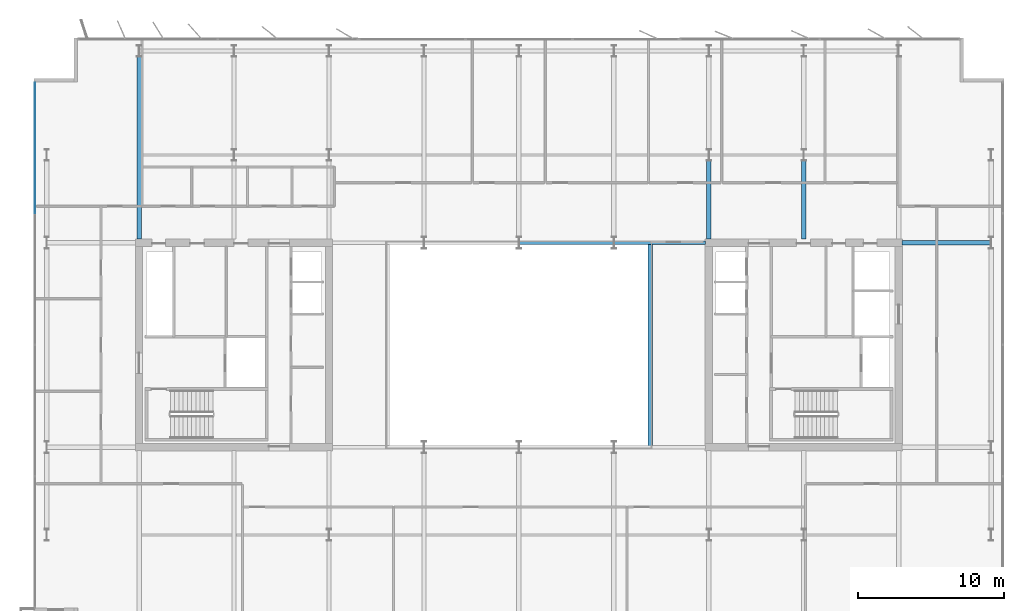
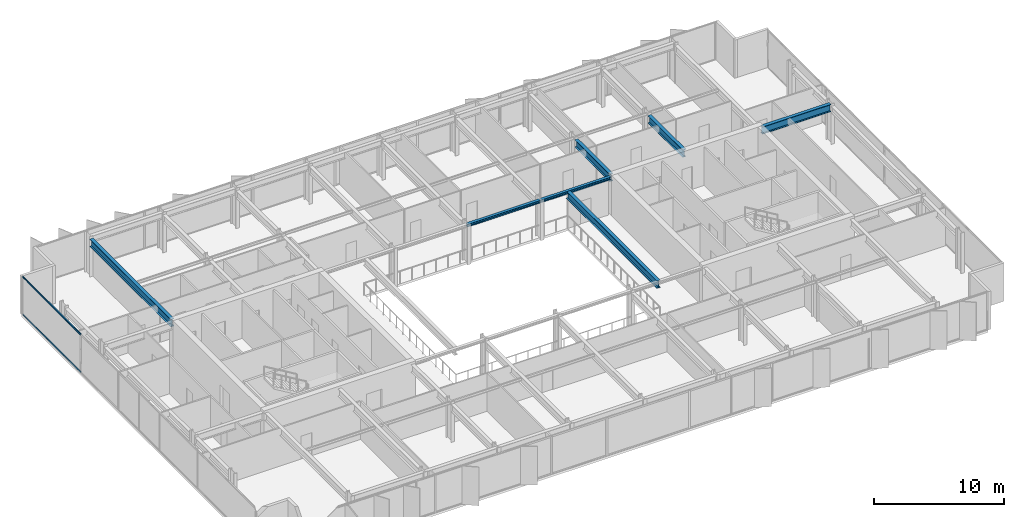
# One storey, part 9 of 23: 7 beams, 2 members, 1 element without a shape of its own.
"""IFC4 building model written with IfcOpenShell, lengths in metres."""

from ifc_helpers import new_model, si_unit, direction, frame, origin, origin_2d, place, context, subcontext, project, spatial, rectangle, i_section, extrude, material, layer, layer_set, material_profile, profile_set, type_object, element, aggregate, save


model = new_model("IFC4")

# Units and contexts
model_context = context("Model", 3, precision=1e-05, world=origin(), true_north=direction((0.0, 1.0)))
body_context = subcontext(model_context, "Body", "Model", "MODEL_VIEW")
ifc_project = project(units=[si_unit("LENGTHUNIT", "METRE"), si_unit("AREAUNIT", "SQUARE_METRE"), si_unit("VOLUMEUNIT", "CUBIC_METRE"), si_unit("PLANEANGLEUNIT", "RADIAN"), si_unit("MASSUNIT", "GRAM", prefix="KILO")], contexts=[model_context])

# Site, building, storey
site_placement = place(None, origin())
site = spatial("IfcSite", under=ifc_project, at=site_placement, CompositionType="ELEMENT")
building_placement = place(site_placement, origin())
building = spatial("IfcBuilding", under=site, at=building_placement, Name="Putna Gate Headquarters", CompositionType="ELEMENT")
storey_placement = place(building_placement, frame((0.0, 0.0, 232.800048828125)))
storey = spatial("IfcBuildingStorey", under=building, at=storey_placement, Name="L58", CompositionType="ELEMENT", Elevation=232.800048828125)

# Beams
ifc_material_1 = material(Name="Steel S355J2", Category="steel")
ifc_material_profile_1 = material_profile(ifc_material_1, i_section(OverallWidth=0.260009765625, OverallDepth=0.260009765625, WebThickness=0.010009765625, FlangeThickness=0.017578125, at=origin_2d()), Name="Steel S355J2")
ifc_profile_set_1 = profile_set([ifc_material_profile_1], Name="Steel S355J2")
beam_type_1 = type_object("IfcBeamType", Name="BM-ATRIUM-HEB260", PredefinedType="BEAM", material=ifc_profile_set_1)
beam_1_placement = place(storey_placement, frame((39.006103515625, 33.0, 3.449951171875), z_axis=(1.0, 0.0, 0.0), x_axis=(0.0, 1.0, 0.0)))
element("IfcBeam", 1, at=beam_1_placement, inside=storey, type_object=beam_type_1, Name="L58 Atrium Edge Beam AN3", PredefinedType="BEAM", context=body_context, shape_type="SweptSolid", body=[
    extrude(i_section(OverallWidth=0.260009765625, OverallDepth=0.260009765625, WebThickness=0.010009765625, FlangeThickness=0.017578125, at=origin_2d()), origin(), (0.0, 0.0, 1.0), 6.48779296875),
])
beam_2_placement = place(storey_placement, frame((45.506103515625, 33.0, 3.449951171875), z_axis=(1.0, 0.0, 0.0), x_axis=(0.0, 1.0, 0.0)))
element("IfcBeam", 2, at=beam_2_placement, inside=storey, type_object=beam_type_1, Name="L58 Atrium Edge Beam AN4", PredefinedType="BEAM", context=body_context, shape_type="SweptSolid", body=[
    extrude(i_section(OverallWidth=0.260009765625, OverallDepth=0.260009765625, WebThickness=0.010009765625, FlangeThickness=0.017578125, at=origin_2d()), origin(), (0.0, 0.0, 1.0), 6.2587890625),
])
ifc_material_profile_2 = material_profile(ifc_material_1, i_section(OverallWidth=0.300048828125, OverallDepth=0.699951171875, WebThickness=0.01708984375, FlangeThickness=0.031982421875, at=origin_2d()), Name="Steel S355J2")
ifc_profile_set_2 = profile_set([ifc_material_profile_2], Name="Steel S355J2")
beam_type_2 = type_object("IfcBeamType", Name="BM-GIRD-B-HEB700", PredefinedType="USERDEFINED", material=ifc_profile_set_2)
beam_3_placement = place(storey_placement, frame((65.235107421875, 33.0, 3.22998046875), z_axis=(1.0, 0.0, 0.0), x_axis=(0.0, 1.0, 0.0)))
element("IfcBeam", 3, at=beam_3_placement, inside=storey, type_object=beam_type_2, Name="L58 East Wing Girder Y33", ObjectType="GIRDER", PredefinedType="USERDEFINED", context=body_context, shape_type="SweptSolid", body=[
    extrude(i_section(OverallWidth=0.300048828125, OverallDepth=0.699951171875, WebThickness=0.01708984375, FlangeThickness=0.031982421875, at=origin_2d()), origin(), (0.0, 0.0, 1.0), 6.078857421875),
])
beam_4_placement = place(storey_placement, frame((13.0, 33.235107421875, 3.22998046875), z_axis=(0.0, 1.0, 0.0), x_axis=(-1.0, 0.0, 0.0)))
element("IfcBeam", 4, at=beam_4_placement, inside=storey, type_object=beam_type_2, Name="L58 North Primary Girder X13", ObjectType="GIRDER", PredefinedType="USERDEFINED", context=body_context, shape_type="SweptSolid", body=[
    extrude(i_section(OverallWidth=0.300048828125, OverallDepth=0.699951171875, WebThickness=0.01708984375, FlangeThickness=0.031982421875, at=origin_2d()), origin(), (0.0, 0.0, 1.0), 12.489990234375),
])
for number, where, z_axis, x_axis, name in (
    (5, (52.0, 33.235107421875, 3.22998046875), (0.0, 1.0, 0.0), (-1.0, 0.0, 0.0), "L58 North Primary Girder X52-1"),
    (6, (58.5, 33.235107421875, 3.22998046875), (0.0, 1.0, 0.0), (-1.0, 0.0, 0.0), "L58 North Primary Girder X58-1"),
):
    element("IfcBeam", number, at=place(storey_placement, frame(where, z_axis=z_axis, x_axis=x_axis)), inside=storey, type_object=beam_type_2, Name=name, ObjectType="GIRDER", PredefinedType="USERDEFINED", context=body_context, shape_type="SweptSolid", body=[
        extrude(i_section(OverallWidth=0.300048828125, OverallDepth=0.699951171875, WebThickness=0.01708984375, FlangeThickness=0.031982421875, at=origin_2d()), origin(), (0.0, 0.0, 1.0), 5.369873046875),
    ])
beam_5_placement = place(storey_placement, frame((48.0, 19.010009765625, 3.22998046875), z_axis=(0.0, 1.0, 0.0), x_axis=(-1.0, 0.0, 0.0)))
element("IfcBeam", 7, at=beam_5_placement, inside=storey, type_object=beam_type_2, Name="L58 Atrium Trim Girder AE", ObjectType="GIRDER", PredefinedType="USERDEFINED", context=body_context, shape_type="SweptSolid", body=[
    extrude(i_section(OverallWidth=0.300048828125, OverallDepth=0.699951171875, WebThickness=0.01708984375, FlangeThickness=0.031982421875, at=origin_2d()), origin(), (0.0, 0.0, 1.0), 13.97998046875),
])

# Curtain wall, members
ifc_material_2 = material(Name="Anodised bronze aluminium curtain wall", Category="aluminium")
ifc_layer = layer(ifc_material_2, 0.139892578125)
ifc_layer_set = layer_set([ifc_layer], Name="Anodised bronze aluminium curtain wall")
curtain_wall_type = type_object("IfcCurtainWallType", Name="CW-SYS-Z4", PredefinedType="USERDEFINED", material=ifc_layer_set)
curtain_wall_placement = place(storey_placement, origin())
curtain_wall = element("IfcCurtainWall", 8, at=curtain_wall_placement, inside=storey, type_object=curtain_wall_type, Name="L58 West Curtain Wall", ObjectType="STICK CURTAIN WALL", PredefinedType="USERDEFINED")
ifc_material_3 = material(Name="Anodised bronze aluminium EN AW-6060", Category="aluminium")
ifc_material_profile_3 = material_profile(ifc_material_3, rectangle(XDim=0.06005859375, YDim=0.10009765625, at=origin_2d()), Name="Anodised bronze aluminium EN AW-6060")
ifc_profile_set_3 = profile_set([ifc_material_profile_3], Name="Anodised bronze aluminium EN AW-6060")
member_type = type_object("IfcMemberType", Name="TRAN-CWT-4", PredefinedType="USERDEFINED", material=ifc_profile_set_3)
member_1_placement = place(storey_placement, frame((5.8798828125, 35.030029296875, 0.030029296875), z_axis=(0.0, 1.0, 0.0), x_axis=(-1.0, 0.0, 0.0)))
member_1 = element("IfcMember", 9, at=member_1_placement, type_object=member_type, Name="CWS-4 transom 4.1", ObjectType="TRANSOM", PredefinedType="USERDEFINED", context=body_context, shape_type="SweptSolid", body=[
    extrude(rectangle(XDim=0.06005859375, YDim=0.10009765625, at=origin_2d()), origin(), (0.0, 0.0, 1.0), 8.909912109375),
])
member_2_placement = place(storey_placement, frame((5.8798828125, 35.030029296875, 3.550048828125), z_axis=(0.0, 1.0, 0.0), x_axis=(-1.0, 0.0, 0.0)))
member_2 = element("IfcMember", 10, at=member_2_placement, type_object=member_type, Name="CWS-4 transom 4.2", ObjectType="TRANSOM", PredefinedType="USERDEFINED", context=body_context, shape_type="SweptSolid", body=[
    extrude(rectangle(XDim=0.06005859375, YDim=0.10009765625, at=origin_2d()), origin(), (0.0, 0.0, 1.0), 8.909912109375),
])
aggregate(curtain_wall, [member_1, member_2])

save(model, "model.ifc")
